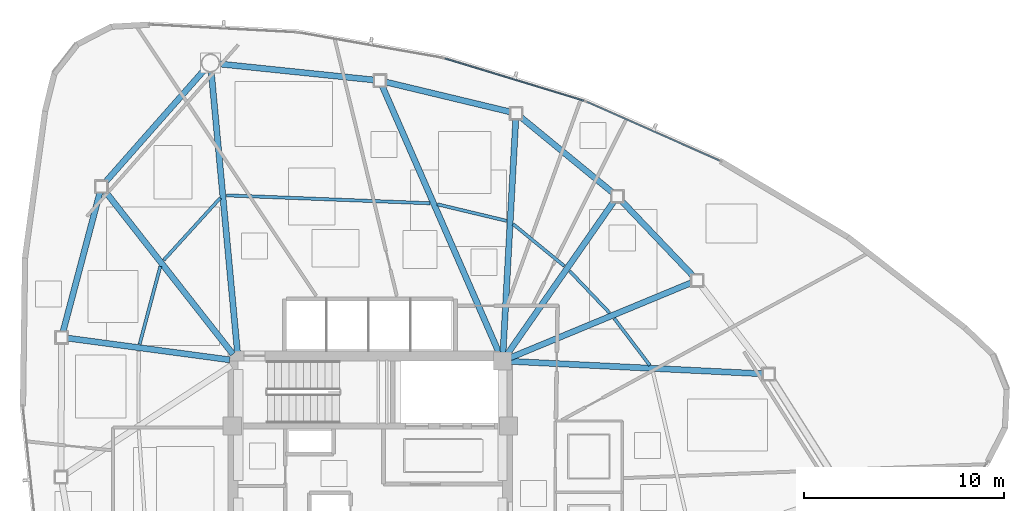
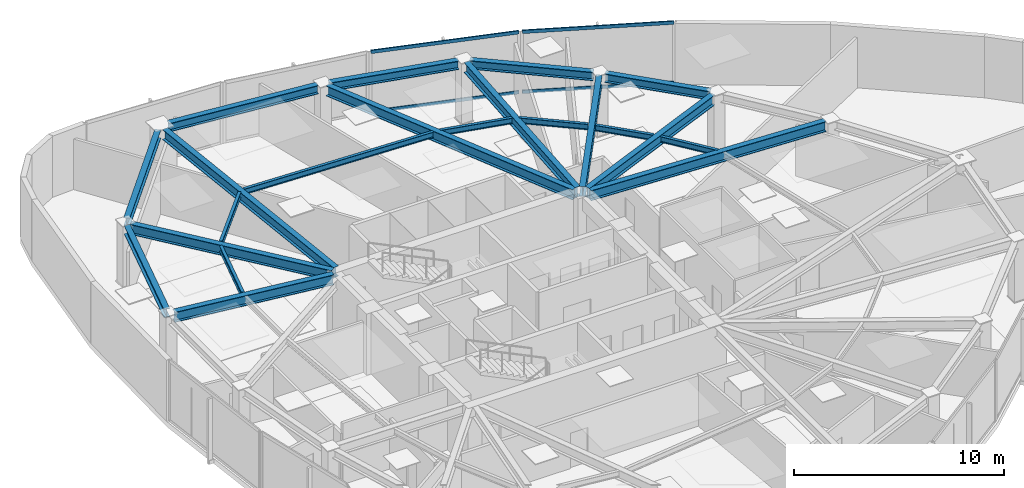
# One storey, part 7 of 17: 21 beams, 4 members, 2 elements without a shape of their own.
"""IFC4 building model written with IfcOpenShell, lengths in metres."""

from ifc_helpers import new_model, si_unit, direction, frame, origin, origin_2d, place, context, subcontext, project, spatial, hollow_rectangle, i_section, extrude, source, transform, mapped, material, layer, layer_set, material_profile, profile_set, type_object, type_shapes, element, aggregate, save


model = new_model("IFC4")

# Units and contexts
model_context = context("Model", 3, precision=1e-05, world=origin(), true_north=direction((0.0, 1.0)))
body_context = subcontext(model_context, "Body", "Model", "MODEL_VIEW")
ifc_project = project(units=[si_unit("LENGTHUNIT", "METRE"), si_unit("AREAUNIT", "SQUARE_METRE"), si_unit("VOLUMEUNIT", "CUBIC_METRE"), si_unit("PLANEANGLEUNIT", "RADIAN"), si_unit("MASSUNIT", "GRAM", prefix="KILO")], contexts=[model_context])

# Site, building, storey
site_placement = place(None, origin())
site = spatial("IfcSite", under=ifc_project, at=site_placement, CompositionType="ELEMENT")
building_placement = place(site_placement, origin())
building = spatial("IfcBuilding", under=site, at=building_placement, Name="Tavelor Broadcast Tower", CompositionType="ELEMENT")
storey_placement = place(building_placement, frame((0.0, 0.0, 200.300048828125)))
storey = spatial("IfcBuildingStorey", under=building, at=storey_placement, Name="L48", CompositionType="ELEMENT", Elevation=200.300048828125)

# Beams
ifc_material_1 = material(Name="Steel S355", Category="steel")
ifc_material_profile_1 = material_profile(ifc_material_1, i_section(OverallWidth=0.159912109375, OverallDepth=0.330078125, WebThickness=0.007568359375, FlangeThickness=0.011474609375, at=origin_2d()), Name="IPE 330")
ifc_profile_set_1 = profile_set([ifc_material_profile_1], Name="Steel S355")
beam_type_1 = type_object("IfcBeamType", Name="Composite Floor Joist T4 IPE 330", PredefinedType="JOIST", material=ifc_profile_set_1)
beam_1_placement = place(storey_placement, frame((42.505615234375, 59.343505859375, 3.385009765625), z_axis=(-0.672852052716, -0.739777071256, 0.0), x_axis=(0.739777071256, -0.672852052716, 0.0)))
element("IfcBeam", 1, at=beam_1_placement, inside=storey, type_object=beam_type_1, Name="L48 Secondary Composite Floor Joist 01", PredefinedType="JOIST", context=body_context, shape_type="SweptSolid", body=[
    extrude(i_section(OverallWidth=0.159912109375, OverallDepth=0.330078125, WebThickness=0.007568359375, FlangeThickness=0.011474609375, at=origin_2d()), origin(), (0.0, 0.0, 1.0), 4.202392578125),
])
beam_2_placement = place(storey_placement, frame((39.509521484375, 55.92578125, 3.385009765625), z_axis=(-0.256963595852, -0.966421083383, 0.0), x_axis=(0.966421083383, -0.256963595852, 0.0)))
element("IfcBeam", 2, at=beam_2_placement, inside=storey, type_object=beam_type_1, Name="L48 Secondary Composite Floor Joist 02", PredefinedType="JOIST", context=body_context, shape_type="SweptSolid", body=[
    extrude(i_section(OverallWidth=0.159912109375, OverallDepth=0.330078125, WebThickness=0.007568359375, FlangeThickness=0.011474609375, at=origin_2d()), origin(), (0.0, 0.0, 1.0), 4.021728515625),
])
beam_3_placement = place(storey_placement, frame((63.959716796875, 50.9755859375, 3.385009765625), z_axis=(-0.604116162247, 0.796896268351, 0.0), x_axis=(-0.796896268351, -0.604116162247, 0.0)))
element("IfcBeam", 3, at=beam_3_placement, inside=storey, type_object=beam_type_1, Name="L48 Secondary Composite Floor Joist 14", PredefinedType="JOIST", context=body_context, shape_type="SweptSolid", body=[
    extrude(i_section(OverallWidth=0.159912109375, OverallDepth=0.330078125, WebThickness=0.007568359375, FlangeThickness=0.011474609375, at=origin_2d()), origin(), (0.0, 0.0, 1.0), 2.94580078125),
])
beam_4_placement = place(storey_placement, frame((61.946044921875, 53.59814453125, 3.385009765625), z_axis=(-0.689642531817, 0.724149969487, 0.0), x_axis=(-0.724149969487, -0.689642531817, 0.0)))
element("IfcBeam", 4, at=beam_4_placement, inside=storey, type_object=beam_type_1, Name="L48 Secondary Composite Floor Joist 15", PredefinedType="JOIST", context=body_context, shape_type="SweptSolid", body=[
    extrude(i_section(OverallWidth=0.159912109375, OverallDepth=0.330078125, WebThickness=0.007568359375, FlangeThickness=0.011474609375, at=origin_2d()), origin(), (0.0, 0.0, 1.0), 2.893798828125),
])
beam_5_placement = place(storey_placement, frame((59.685791015625, 55.939453125, 3.385009765625), z_axis=(-0.773655391446, 0.633606609251, 0.0), x_axis=(-0.633606609251, -0.773655391446, 0.0)))
element("IfcBeam", 5, at=beam_5_placement, inside=storey, type_object=beam_type_1, Name="L48 Secondary Composite Floor Joist 16", PredefinedType="JOIST", context=body_context, shape_type="SweptSolid", body=[
    extrude(i_section(OverallWidth=0.159912109375, OverallDepth=0.330078125, WebThickness=0.007568359375, FlangeThickness=0.011474609375, at=origin_2d()), origin(), (0.0, 0.0, 1.0), 3.315673828125),
])
beam_6_placement = place(storey_placement, frame((56.804443359375, 58.197021484375, 3.385009765625), z_axis=(-0.972674676245, 0.232172294196, 0.0), x_axis=(-0.232172294196, -0.972674676245, 0.0)))
element("IfcBeam", 6, at=beam_6_placement, inside=storey, type_object=beam_type_1, Name="L48 Secondary Composite Floor Joist 17", PredefinedType="JOIST", context=body_context, shape_type="SweptSolid", body=[
    extrude(i_section(OverallWidth=0.159912109375, OverallDepth=0.330078125, WebThickness=0.007568359375, FlangeThickness=0.011474609375, at=origin_2d()), origin(), (0.0, 0.0, 1.0), 3.56884765625),
])
beam_7_placement = place(storey_placement, frame((52.976318359375, 59.07470703125, 3.385009765625), z_axis=(-0.999243420365, 0.038891989637, 0.0), x_axis=(-0.038891989637, -0.999243420365, 0.0)))
element("IfcBeam", 7, at=beam_7_placement, inside=storey, type_object=beam_type_1, Name="L48 Secondary Composite Floor Joist 18", PredefinedType="JOIST", context=body_context, shape_type="SweptSolid", body=[
    extrude(i_section(OverallWidth=0.159912109375, OverallDepth=0.330078125, WebThickness=0.007568359375, FlangeThickness=0.011474609375, at=origin_2d()), origin(), (0.0, 0.0, 1.0), 10.17578125),
])
ifc_material_profile_2 = material_profile(ifc_material_1, i_section(OverallWidth=0.300048828125, OverallDepth=0.5, WebThickness=0.014404296875, FlangeThickness=0.028076171875, at=origin_2d()), Name="HEB 500")
ifc_profile_set_2 = profile_set([ifc_material_profile_2], Name="Steel S355")
beam_type_2 = type_object("IfcBeamType", Name="Perimeter Spandrel Beam T4 HEB 500", PredefinedType="SPANDREL", material=ifc_profile_set_2)
beam_8_placement = place(storey_placement, frame((41.720947265625, 65.7509765625, 3.300048828125), z_axis=(-0.661625943185, -0.749834055845, 0.0), x_axis=(0.749834055845, -0.661625943185, 0.0)))
element("IfcBeam", 8, at=beam_8_placement, inside=storey, type_object=beam_type_2, Name="L48 Framed-Tube Ring Spandrel 01", PredefinedType="SPANDREL", context=body_context, shape_type="SweptSolid", body=[
    extrude(i_section(OverallWidth=0.300048828125, OverallDepth=0.5, WebThickness=0.014404296875, FlangeThickness=0.028076171875, at=origin_2d()), origin(), (0.0, 0.0, 1.0), 7.500732421875),
])
beam_9_placement = place(storey_placement, frame((36.493896484375, 59.63232421875, 3.300048828125), z_axis=(-0.255762341211, -0.96673968824, 0.0), x_axis=(0.96673968824, -0.255762341211, 0.0)))
element("IfcBeam", 9, at=beam_9_placement, inside=storey, type_object=beam_type_2, Name="L48 Framed-Tube Ring Spandrel 02", PredefinedType="SPANDREL", context=body_context, shape_type="SweptSolid", body=[
    extrude(i_section(OverallWidth=0.300048828125, OverallDepth=0.5, WebThickness=0.014404296875, FlangeThickness=0.028076171875, at=origin_2d()), origin(), (0.0, 0.0, 1.0), 7.214599609375),
])
beam_10_placement = place(storey_placement, frame((66.123291015625, 55.437255859375, 3.300048828125), z_axis=(-0.689936010055, 0.723870362723, 0.0), x_axis=(-0.723870362723, -0.689936010055, 0.0)))
element("IfcBeam", 10, at=beam_10_placement, inside=storey, type_object=beam_type_2, Name="L48 Framed-Tube Ring Spandrel 15", PredefinedType="SPANDREL", context=body_context, shape_type="SweptSolid", body=[
    extrude(i_section(OverallWidth=0.300048828125, OverallDepth=0.5, WebThickness=0.014404296875, FlangeThickness=0.028076171875, at=origin_2d()), origin(), (0.0, 0.0, 1.0), 5.208740234375),
])
beam_11_placement = place(storey_placement, frame((62.1083984375, 59.59912109375, 3.300048828125), z_axis=(-0.772717651191, 0.634749896839, 0.0), x_axis=(-0.634749896839, -0.772717651191, 0.0)))
element("IfcBeam", 11, at=beam_11_placement, inside=storey, type_object=beam_type_2, Name="L48 Framed-Tube Ring Spandrel 16", PredefinedType="SPANDREL", context=body_context, shape_type="SweptSolid", body=[
    extrude(i_section(OverallWidth=0.300048828125, OverallDepth=0.5, WebThickness=0.014404296875, FlangeThickness=0.028076171875, at=origin_2d()), origin(), (0.0, 0.0, 1.0), 5.965087890625),
])
beam_12_placement = place(storey_placement, frame((56.99658203125, 63.635498046875, 3.300048828125), z_axis=(-0.972354853411, 0.233508113452, 0.0), x_axis=(-0.233508113452, -0.972354853411, 0.0)))
element("IfcBeam", 12, at=beam_12_placement, inside=storey, type_object=beam_type_2, Name="L48 Framed-Tube Ring Spandrel 17", PredefinedType="SPANDREL", context=body_context, shape_type="SweptSolid", body=[
    extrude(i_section(OverallWidth=0.300048828125, OverallDepth=0.5, WebThickness=0.014404296875, FlangeThickness=0.028076171875, at=origin_2d()), origin(), (0.0, 0.0, 1.0), 6.421630859375),
])
beam_13_placement = place(storey_placement, frame((50.18603515625, 65.23193359375, 3.300048828125), z_axis=(-0.99466284774, 0.103178579783, 0.0), x_axis=(-0.103178579783, -0.99466284774, 0.0)))
element("IfcBeam", 13, at=beam_13_placement, inside=storey, type_object=beam_type_2, Name="L48 Framed-Tube Ring Spandrel 18", PredefinedType="SPANDREL", context=body_context, shape_type="SweptSolid", body=[
    extrude(i_section(OverallWidth=0.300048828125, OverallDepth=0.5, WebThickness=0.014404296875, FlangeThickness=0.028076171875, at=origin_2d()), origin(), (0.0, 0.0, 1.0), 7.780029296875),
])
ifc_material_profile_3 = material_profile(ifc_material_1, i_section(OverallWidth=0.300048828125, OverallDepth=0.590087890625, WebThickness=0.012939453125, FlangeThickness=0.02490234375, at=origin_2d()), Name="HEA 600")
ifc_profile_set_3 = profile_set([ifc_material_profile_3], Name="Steel S355")
beam_type_3 = type_object("IfcBeamType", Name="Radial Floor Girder T4 HEA 600", PredefinedType="BEAM", material=ifc_profile_set_3)
beam_14_placement = place(storey_placement, frame((43.35986328125, 51.630126953125, 3.2548828125), z_axis=(-0.092926929372, 0.995672931136, 0.0), x_axis=(-0.995672931136, -0.092926929372, 0.0)))
element("IfcBeam", 14, at=beam_14_placement, inside=storey, type_object=beam_type_3, Name="L48 Radial Primary Floor Girder 01", PredefinedType="BEAM", context=body_context, shape_type="SweptSolid", body=[
    extrude(i_section(OverallWidth=0.300048828125, OverallDepth=0.590087890625, WebThickness=0.012939453125, FlangeThickness=0.02490234375, at=origin_2d()), origin(), (0.0, 0.0, 1.0), 14.073974609375),
])
beam_15_placement = place(storey_placement, frame((43.13330078125, 51.539794921875, 3.2548828125), z_axis=(-0.617155684101, 0.786841065007, 0.0), x_axis=(-0.786841065007, -0.617155684101, 0.0)))
element("IfcBeam", 15, at=beam_15_placement, inside=storey, type_object=beam_type_3, Name="L48 Radial Primary Floor Girder 02", PredefinedType="BEAM", context=body_context, shape_type="SweptSolid", body=[
    extrude(i_section(OverallWidth=0.300048828125, OverallDepth=0.590087890625, WebThickness=0.012939453125, FlangeThickness=0.02490234375, at=origin_2d()), origin(), (0.0, 0.0, 1.0), 10.3505859375),
])
beam_16_placement = place(storey_placement, frame((42.9716796875, 51.257080078125, 3.2548828125), z_axis=(-0.991183810809, 0.132493974169, 0.0), x_axis=(-0.132493974169, -0.991183810809, 0.0)))
element("IfcBeam", 16, at=beam_16_placement, inside=storey, type_object=beam_type_3, Name="L48 Radial Primary Floor Girder 03", PredefinedType="BEAM", context=body_context, shape_type="SweptSolid", body=[
    extrude(i_section(OverallWidth=0.300048828125, OverallDepth=0.590087890625, WebThickness=0.012939453125, FlangeThickness=0.02490234375, at=origin_2d()), origin(), (0.0, 0.0, 1.0), 8.183349609375),
])
beam_17_placement = place(storey_placement, frame((57.031494140625, 51.1787109375, 3.2548828125), z_axis=(0.998783784198, -0.049304689662, 0.0), x_axis=(0.049304689662, 0.998783784198, 0.0)))
element("IfcBeam", 17, at=beam_17_placement, inside=storey, type_object=beam_type_3, Name="L48 Radial Primary Floor Girder 14", PredefinedType="BEAM", context=body_context, shape_type="SweptSolid", body=[
    extrude(i_section(OverallWidth=0.300048828125, OverallDepth=0.590087890625, WebThickness=0.012939453125, FlangeThickness=0.02490234375, at=origin_2d()), origin(), (0.0, 0.0, 1.0), 12.582275390625),
])
beam_18_placement = place(storey_placement, frame((56.9990234375, 51.365478515625, 3.2548828125), z_axis=(0.923827405628, 0.38280925356, 0.0), x_axis=(-0.38280925356, 0.923827405628, 0.0)))
element("IfcBeam", 18, at=beam_18_placement, inside=storey, type_object=beam_type_3, Name="L48 Radial Primary Floor Girder 15", PredefinedType="BEAM", context=body_context, shape_type="SweptSolid", body=[
    extrude(i_section(OverallWidth=0.300048828125, OverallDepth=0.590087890625, WebThickness=0.012939453125, FlangeThickness=0.02490234375, at=origin_2d()), origin(), (0.0, 0.0, 1.0), 9.8037109375),
])
beam_19_placement = place(storey_placement, frame((56.84716796875, 51.55419921875, 3.2548828125), z_axis=(0.572078083908, 0.820199162346, 0.0), x_axis=(-0.820199162346, 0.572078083908, 0.0)))
element("IfcBeam", 19, at=beam_19_placement, inside=storey, type_object=beam_type_3, Name="L48 Radial Primary Floor Girder 16", PredefinedType="BEAM", context=body_context, shape_type="SweptSolid", body=[
    extrude(i_section(OverallWidth=0.300048828125, OverallDepth=0.590087890625, WebThickness=0.012939453125, FlangeThickness=0.02490234375, at=origin_2d()), origin(), (0.0, 0.0, 1.0), 9.29736328125),
])
beam_20_placement = place(storey_placement, frame((56.62353515625, 51.63134765625, 3.2548828125), z_axis=(0.054637852805, 0.998506236856, 0.0), x_axis=(-0.998506236856, 0.054637852805, 0.0)))
element("IfcBeam", 20, at=beam_20_placement, inside=storey, type_object=beam_type_3, Name="L48 Radial Primary Floor Girder 17", PredefinedType="BEAM", context=body_context, shape_type="SweptSolid", body=[
    extrude(i_section(OverallWidth=0.300048828125, OverallDepth=0.590087890625, WebThickness=0.012939453125, FlangeThickness=0.02490234375, at=origin_2d()), origin(), (0.0, 0.0, 1.0), 11.666748046875),
])
beam_21_placement = place(storey_placement, frame((56.4267578125, 51.595703125, 3.2548828125), z_axis=(-0.4008997337, 0.916121937036, 0.0), x_axis=(-0.916121937036, -0.4008997337, 0.0)))
element("IfcBeam", 21, at=beam_21_placement, inside=storey, type_object=beam_type_3, Name="L48 Radial Primary Floor Girder 18", PredefinedType="BEAM", context=body_context, shape_type="SweptSolid", body=[
    extrude(i_section(OverallWidth=0.300048828125, OverallDepth=0.590087890625, WebThickness=0.012939453125, FlangeThickness=0.02490234375, at=origin_2d()), origin(), (0.0, 0.0, 1.0), 14.564453125),
])

# Curtain wall, members
ifc_material_2 = material(Name="Architectural Anodized Aluminium", Category="aluminium")
ifc_layer = layer(ifc_material_2, 0.18994140625)
ifc_layer_set = layer_set([ifc_layer], Name="Architectural Anodized Aluminium")
curtain_wall_type = type_object("IfcCurtainWallType", Name="Tower Mid-Zone Acoustic Curtain Wall CW03", PredefinedType="NOTDEFINED", material=ifc_layer_set)
curtain_wall_1_placement = place(storey_placement, origin())
curtain_wall_1 = element("IfcCurtainWall", 22, at=curtain_wall_1_placement, inside=storey, type_object=curtain_wall_type, Name="L48 Curtain Wall CW03 Run 526", PredefinedType="NOTDEFINED")
ifc_material_profile_4 = material_profile(ifc_material_2, hollow_rectangle(XDim=0.068115234375, YDim=0.18994140625, WallThickness=0.02197265625, at=origin_2d()), Name="RHS 68x190x22")
ifc_profile_set_4 = profile_set([ifc_material_profile_4], Name="Architectural Anodized Aluminium")
member_type = type_object("IfcMemberType", Name="CW03 Extruded Aluminium Transom 68x190", PredefinedType="USERDEFINED", material=ifc_profile_set_4)
shared_shape_1 = source(origin(), body_context, "Body", "SweptSolid", [
    extrude(hollow_rectangle(XDim=0.068115234375, YDim=0.18994140625, WallThickness=0.02197265625, at=origin_2d()), origin(), (0.0, 0.0, 1.0), 7.23681640625),
])
member_1_placement = place(storey_placement, frame((60.651123046875, 64.197509765625, 0.033935546875), z_axis=(-0.9566898132, 0.291109260107, 0.0), x_axis=(-0.291109260107, -0.9566898132, 0.0)))
member_1 = element("IfcMember", 23, at=member_1_placement, type_object=member_type, Name="CW03 transom 1.1", ObjectType="TRANSOM", PredefinedType="USERDEFINED", context=body_context, shape_type="MappedRepresentation", body=[
    mapped(shared_shape_1, transform((0.0, 0.0, 0.0), scale=1.0)),
])
member_2_placement = place(storey_placement, frame((60.651123046875, 64.197509765625, 3.515869140625), z_axis=(-0.9566898132, 0.291109260107, 0.0), x_axis=(-0.291109260107, -0.9566898132, 0.0)))
member_2 = element("IfcMember", 24, at=member_2_placement, type_object=member_type, Name="CW03 transom 1.2", ObjectType="TRANSOM", PredefinedType="USERDEFINED", context=body_context, shape_type="MappedRepresentation", body=[
    mapped(shared_shape_1, transform((0.0, 0.0, 0.0), scale=1.0)),
])
aggregate(curtain_wall_1, [member_1, member_2])

curtain_wall_2_placement = place(storey_placement, origin())
curtain_wall_2 = element("IfcCurtainWall", 25, at=curtain_wall_2_placement, inside=storey, type_object=curtain_wall_type, Name="L48 Curtain Wall CW03 Run 525", PredefinedType="NOTDEFINED")
shared_shape_2 = source(origin(), body_context, "Body", "SweptSolid", [
    extrude(hollow_rectangle(XDim=0.068115234375, YDim=0.18994140625, WallThickness=0.02197265625, at=origin_2d()), origin(), (0.0, 0.0, 1.0), 7.251708984375),
])
type_shapes(member_type, [shared_shape_1, shared_shape_2])
member_3_placement = place(storey_placement, frame((67.4375, 61.20458984375, 0.033935546875), z_axis=(-0.914417221148, 0.404772955703, 0.0), x_axis=(-0.404772955703, -0.914417221148, 0.0)))
member_3 = element("IfcMember", 26, at=member_3_placement, type_object=member_type, Name="CW03 transom 1.1", ObjectType="TRANSOM", PredefinedType="USERDEFINED", context=body_context, shape_type="MappedRepresentation", body=[
    mapped(shared_shape_2, transform((0.0, 0.0, 0.0), scale=1.0)),
])
member_4_placement = place(storey_placement, frame((67.4375, 61.20458984375, 3.515869140625), z_axis=(-0.914417221148, 0.404772955703, 0.0), x_axis=(-0.404772955703, -0.914417221148, 0.0)))
member_4 = element("IfcMember", 27, at=member_4_placement, type_object=member_type, Name="CW03 transom 1.2", ObjectType="TRANSOM", PredefinedType="USERDEFINED", context=body_context, shape_type="MappedRepresentation", body=[
    mapped(shared_shape_2, transform((0.0, 0.0, 0.0), scale=1.0)),
])
aggregate(curtain_wall_2, [member_3, member_4])

save(model, "model.ifc")
